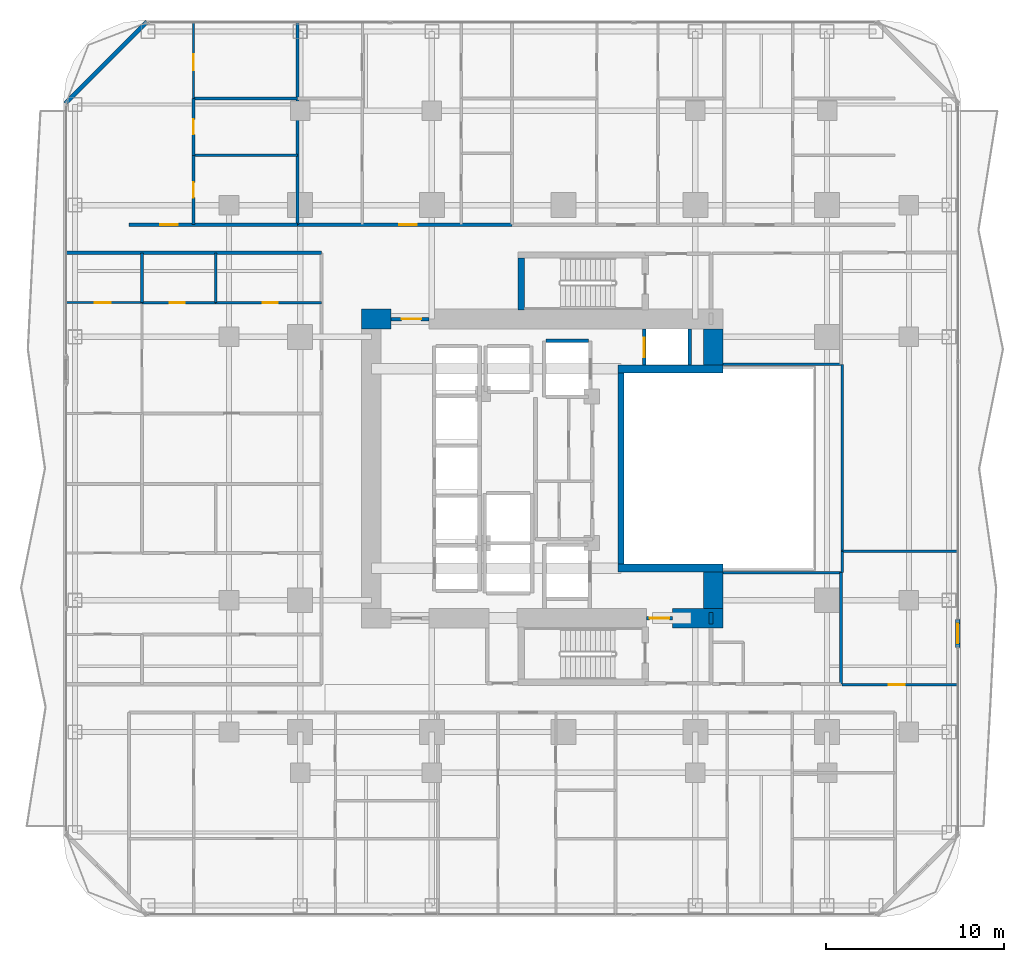
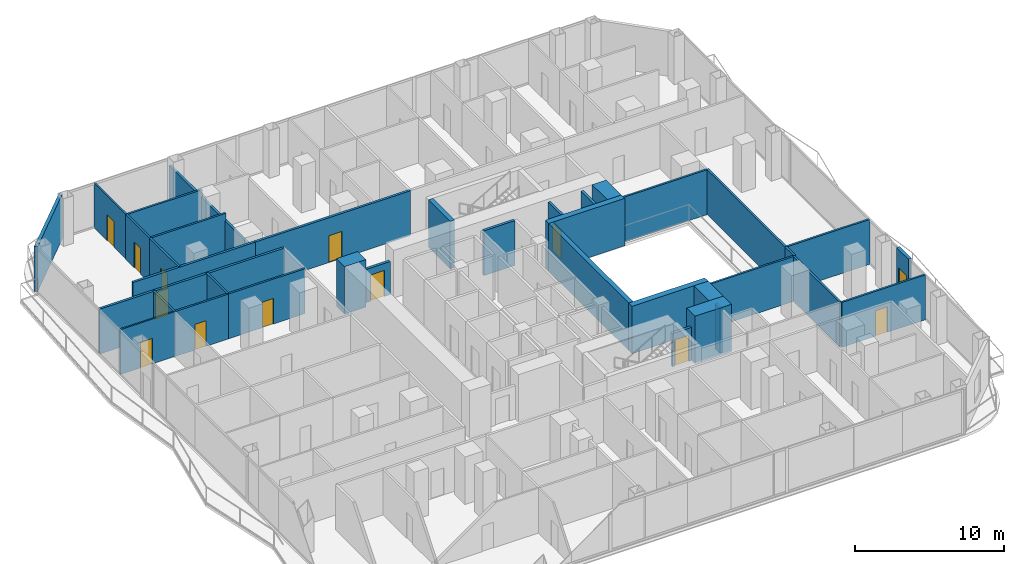
# One storey, part 22 of 29: 37 walls, 13 doors, 13 openings.
"""IFC4 building model written with IfcOpenShell, lengths in metres."""

from ifc_helpers import new_model, si_unit, direction, frame, frame_2d, origin, place, context, subcontext, project, spatial, rectangle, extrude, material, layer, layer_set, type_object, element, fill, save


model = new_model("IFC4")

# Units and contexts
model_context = context("Model", 3, precision=1e-05, world=origin(), true_north=direction((0.0, 1.0)))
body_context = subcontext(model_context, "Body", "Model", "MODEL_VIEW")
ifc_project = project(units=[si_unit("LENGTHUNIT", "METRE"), si_unit("AREAUNIT", "SQUARE_METRE"), si_unit("VOLUMEUNIT", "CUBIC_METRE"), si_unit("PLANEANGLEUNIT", "RADIAN"), si_unit("MASSUNIT", "GRAM", prefix="KILO")], contexts=[model_context])

# Site, building, storey
site_placement = place(None, origin())
site = spatial("IfcSite", under=ifc_project, at=site_placement, CompositionType="ELEMENT")
building_placement = place(site_placement, origin())
building = spatial("IfcBuilding", under=site, at=building_placement, Name="Khorvyn Point Tower", CompositionType="ELEMENT")
storey_placement = place(building_placement, frame((0.0, 0.0, 69.60009765625)))
storey = spatial("IfcBuildingStorey", under=building, at=storey_placement, Name="L18", CompositionType="ELEMENT", Elevation=69.60009765625)

# Wall, opening, door
ifc_material_1 = material(Name="Double acoustic gypsum on twin steel stud", Category="steel")
ifc_layer_1 = layer(ifc_material_1, 0.179931640625)
ifc_layer_set_1 = layer_set([ifc_layer_1], Name="Acoustic Double-Stud Apartment Demising Wall 180")
wall_type_1 = type_object("IfcWallType", Name="Acoustic Double-Stud Apartment Demising Wall 180", PredefinedType="PARTITIONING", material=ifc_layer_set_1)
wall_1_placement = place(storey_placement, frame((-24.419921875, 13.699951171875, 0.0), z_axis=(0.0, 0.0, 1.0), x_axis=(1.0, 0.0, 0.0)))
wall_1 = element("IfcWall", 1, at=wall_1_placement, inside=storey, type_object=wall_type_1, Name="Wall", PredefinedType="PARTITIONING", context=body_context, shape_type="SweptSolid", body=[
    extrude(rectangle(XDim=9.468994140625, YDim=0.179931640625, at=frame_2d((4.734375, 0.0))), origin(), (0.0, 0.0, 1.0), 3.679931640625),
])
opening_1_placement = place(wall_1_placement, frame((1.75439453125, 0.0, 0.0)))
opening_1 = element("IfcOpeningElement", 2, at=opening_1_placement, cuts=wall_1, Name="Opening ID-AP60", PredefinedType="OPENING", context=body_context, shape_type="SweptSolid", body=[
    extrude(rectangle(XDim=1.0, YDim=2.199951171875, at=frame_2d((0.5, 1.10009765625))), frame((0.0, 0.099853515625, 0.0), z_axis=(0.0, -1.0, 0.0), x_axis=(1.0, 0.0, 0.0)), (0.0, 0.0, 1.0), 0.199951171875),
])
ifc_material_2 = material(Name="Engineered hardwood fire-rated leaf", Category="wood")
door_type_1 = type_object("IfcDoorType", Name="Acoustic Solid-Core Timber Apartment Entrance Door 1000x2200", OperationType="NOTDEFINED", PredefinedType="DOOR", material=ifc_material_2)
door_1_placement = place(opening_1_placement, origin())
door_1 = element("IfcDoor", 3, at=door_1_placement, inside=storey, type_object=door_type_1, Name="Door", OperationType="SINGLE_SWING_RIGHT", OverallHeight=2.199951171875, OverallWidth=1.0, PredefinedType="DOOR", context=body_context, shape_type="SweptSolid", body=[
    extrude(rectangle(XDim=1.0, YDim=2.199951171875, at=frame_2d((0.5, 1.10009765625))), frame((0.0, 0.02490234375, 0.0), z_axis=(0.0, -1.0, 0.0), x_axis=(1.0, 0.0, 0.0)), (0.0, 0.0, 1.0), 0.050048828125),
])
fill(opening_1, door_1)

wall_2_placement = place(storey_placement, frame((-14.950927734375, 13.699951171875, 0.0), z_axis=(0.0, 0.0, 1.0), x_axis=(1.0, 0.0, 0.0)))
wall_2 = element("IfcWall", 4, at=wall_2_placement, inside=storey, type_object=wall_type_1, Name="Wall", PredefinedType="PARTITIONING", context=body_context, shape_type="SweptSolid", body=[
    extrude(rectangle(XDim=12.051025390625, YDim=0.179931640625, at=frame_2d((6.025390625, 0.0))), origin(), (0.0, 0.0, 1.0), 3.679931640625),
])
opening_2_placement = place(wall_2_placement, frame((5.704345703125, 0.0, 0.0)))
opening_2 = element("IfcOpeningElement", 5, at=opening_2_placement, cuts=wall_2, Name="Opening ID-AP60", PredefinedType="OPENING", context=body_context, shape_type="SweptSolid", body=[
    extrude(rectangle(XDim=1.0, YDim=2.199951171875, at=frame_2d((0.5, 1.10009765625))), frame((0.0, 0.099853515625, 0.0), z_axis=(0.0, -1.0, 0.0), x_axis=(1.0, 0.0, 0.0)), (0.0, 0.0, 1.0), 0.199951171875),
])
door_2_placement = place(opening_2_placement, origin())
door_2 = element("IfcDoor", 6, at=door_2_placement, inside=storey, type_object=door_type_1, Name="Door", OperationType="SINGLE_SWING_RIGHT", OverallHeight=2.199951171875, OverallWidth=1.0, PredefinedType="DOOR", context=body_context, shape_type="SweptSolid", body=[
    extrude(rectangle(XDim=1.0, YDim=2.199951171875, at=frame_2d((0.5, 1.10009765625))), frame((0.0, 0.02490234375, 0.0), z_axis=(0.0, -1.0, 0.0), x_axis=(1.0, 0.0, 0.0)), (0.0, 0.0, 1.0), 0.050048828125),
])
fill(opening_2, door_2)

# Walls
wall_3_placement = place(storey_placement, frame((-14.950927734375, 13.699951171875, 0.0), z_axis=(0.0, 0.0, 1.0), x_axis=(0.0, 1.0, 0.0)))
element("IfcWall", 7, at=wall_3_placement, inside=storey, type_object=wall_type_1, Name="Wall", PredefinedType="PARTITIONING", context=body_context, shape_type="SweptSolid", body=[
    extrude(rectangle(XDim=11.330078125, YDim=0.179931640625, at=frame_2d((5.6650390625, 0.0))), origin(), (0.0, 0.0, 1.0), 3.081787109375),
])
wall_4_placement = place(storey_placement, frame((-27.929931640625, 12.1201171875, 0.0), z_axis=(0.0, 0.0, 1.0), x_axis=(1.0, 0.0, 0.0)))
element("IfcWall", 8, at=wall_4_placement, inside=storey, type_object=wall_type_1, Name="Wall", PredefinedType="PARTITIONING", context=body_context, shape_type="SweptSolid", body=[
    extrude(rectangle(XDim=14.329833984375, YDim=0.179931640625, at=frame_2d((7.1650390625, 0.0))), origin(), (0.0, 0.0, 1.0), 3.679931640625),
])

# Wall, opening, door
ifc_material_3 = material(Name="Pale anodised aluminium rainscreen on steel stud", Category="steel")
ifc_layer_2 = layer(ifc_material_3, 0.239990234375)
ifc_layer_set_2 = layer_set([ifc_layer_2], Name="Anodised Aluminium Insulated Corner Spandrel Wall 240")
wall_type_2 = type_object("IfcWallType", Name="Anodised Aluminium Insulated Corner Spandrel Wall 240", PredefinedType="SOLIDWALL", material=ifc_layer_set_2)
wall_5_placement = place(storey_placement, frame((22.14990234375, -8.47802734375, 0.0), z_axis=(0.0, 0.0, 1.0), x_axis=(0.0, -1.0, 0.0)))
wall_5 = element("IfcWall", 9, at=wall_5_placement, inside=storey, type_object=wall_type_2, Name="L18 East Outdoor Threshold Wall", PredefinedType="SOLIDWALL", context=body_context, shape_type="SweptSolid", body=[
    extrude(rectangle(XDim=1.580078125, YDim=0.239990234375, at=frame_2d((0.7900390625, 0.0))), origin(), (0.0, 0.0, 1.0), 3.679931640625),
])
opening_3_placement = place(wall_5_placement, frame((0.239990234375, 0.0, 0.0)))
opening_3 = element("IfcOpeningElement", 10, at=opening_3_placement, cuts=wall_5, Name="Opening BD-1122", PredefinedType="OPENING", context=body_context, shape_type="SweptSolid", body=[
    extrude(rectangle(XDim=1.10009765625, YDim=2.199951171875, at=frame_2d((0.550048828125, 1.10009765625))), frame((0.0, 0.1298828125, 0.0), z_axis=(0.0, -1.0, 0.0), x_axis=(1.0, 0.0, 0.0)), (0.0, 0.0, 1.0), 0.260009765625),
])
ifc_material_4 = material(Name="Anodised aluminium 6063-T6 and laminated Low-E glass", Category="aluminium")
door_type_2 = type_object("IfcDoorType", Name="Glazed Balcony and Terrace Threshold Door 1100x2200", OperationType="NOTDEFINED", PredefinedType="DOOR", material=ifc_material_4)
door_3_placement = place(opening_3_placement, origin())
door_3 = element("IfcDoor", 11, at=door_3_placement, inside=storey, type_object=door_type_2, Name="L18 East Glazed Balcony Outdoor Door", OperationType="SINGLE_SWING_LEFT", OverallHeight=2.199951171875, OverallWidth=1.10009765625, PredefinedType="DOOR", context=body_context, shape_type="SweptSolid", body=[
    extrude(rectangle(XDim=1.10009765625, YDim=2.199951171875, at=frame_2d((0.550048828125, 1.10009765625))), frame((0.0, 0.02490234375, 0.0), z_axis=(0.0, -1.0, 0.0), x_axis=(1.0, 0.0, 0.0)), (0.0, 0.0, 1.0), 0.050048828125),
])
fill(opening_3, door_3)

# Walls
wall_6_placement = place(storey_placement, frame((-27.992431640625, 20.507568359375, 0.0), z_axis=(0.0, 0.0, 1.0), x_axis=(0.707106781187, 0.707106781187, 0.0)))
element("IfcWall", 12, at=wall_6_placement, inside=storey, type_object=wall_type_2, Name="L18 Rounded Corner Wall NW", PredefinedType="SOLIDWALL", context=body_context, shape_type="SweptSolid", body=[
    extrude(rectangle(XDim=6.48388671875, YDim=0.239990234375, at=frame_2d((3.241943359375, 0.0))), origin(), (0.0, 0.0, 1.0), 3.679931640625),
])
ifc_material_5 = material(Name="Concrete C40/50", Category="concrete")
ifc_layer_3 = layer(ifc_material_5, 0.449951171875)
ifc_layer_set_3 = layer_set([ifc_layer_3], Name="Concrete C40/50 Core Shear Wall 450")
wall_type_3 = type_object("IfcWallType", Name="Concrete C40/50 Core Shear Wall 450", PredefinedType="SHEAR", material=ifc_layer_set_3)
for number, where, z_axis, x_axis, name in (
    (13, (3.044921875, -5.60009765625, 0.0), (0.0, 0.0, 1.0), (1.0, 0.0, 0.0), "Wall"),
    (14, (3.044921875, 5.60009765625, 0.0), (0.0, 0.0, 1.0), (1.0, 0.0, 0.0), "Wall"),
):
    element("IfcWall", number, at=place(storey_placement, frame(where, z_axis=z_axis, x_axis=x_axis)), inside=storey, type_object=wall_type_3, Name=name, PredefinedType="SHEAR", context=body_context, shape_type="SweptSolid", body=[
        extrude(rectangle(XDim=5.905029296875, YDim=0.449951171875, at=frame_2d((2.95263671875, 0.0))), origin(), (0.0, 0.0, 1.0), 3.89990234375),
    ])

# Wall, opening, door
ifc_layer_4 = layer(ifc_material_5, 0.199951171875)
ifc_layer_set_4 = layer_set([ifc_layer_4], Name="Concrete C40/50 Fire-Lobby Compartment Wall 200")
wall_type_4 = type_object("IfcWallType", Name="Concrete C40/50 Fire-Lobby Compartment Wall 200", PredefinedType="SOLIDWALL", material=ifc_layer_set_4)
wall_7_placement = place(storey_placement, frame((4.64990234375, -8.39990234375, 0.0), z_axis=(0.0, 0.0, 1.0), x_axis=(1.0, 0.0, 0.0)))
wall_7 = element("IfcWall", 15, at=wall_7_placement, inside=storey, type_object=wall_type_4, Name="Wall", PredefinedType="SOLIDWALL", context=body_context, shape_type="SweptSolid", body=[
    extrude(rectangle(XDim=1.47021484375, YDim=0.199951171875, at=frame_2d((0.735107421875, 0.0))), origin(), (0.0, 0.0, 1.0), 2.719970703125),
])
opening_4_placement = place(wall_7_placement, frame((0.18505859375, 0.0, 0.0)))
opening_4 = element("IfcOpeningElement", 16, at=opening_4_placement, cuts=wall_7, Name="Opening ID-FL90", PredefinedType="OPENING", context=body_context, shape_type="SweptSolid", body=[
    extrude(rectangle(XDim=1.10009765625, YDim=2.14990234375, at=frame_2d((0.550048828125, 1.074951171875))), frame((0.0, 0.10986328125, 0.0), z_axis=(0.0, -1.0, 0.0), x_axis=(1.0, 0.0, 0.0)), (0.0, 0.0, 1.0), 0.219970703125),
])
ifc_material_6 = material(Name="Galvanised powder-coated steel", Category="steel")
door_type_3 = type_object("IfcDoorType", Name="Fire-Rated Steel Lobby and Stair Door 1100x2150", OperationType="NOTDEFINED", PredefinedType="DOOR", material=ifc_material_6)
door_4_placement = place(opening_4_placement, origin())
door_4 = element("IfcDoor", 17, at=door_4_placement, inside=storey, type_object=door_type_3, Name="Door", OperationType="SINGLE_SWING_RIGHT", OverallHeight=2.14990234375, OverallWidth=1.10009765625, PredefinedType="DOOR", context=body_context, shape_type="SweptSolid", body=[
    extrude(rectangle(XDim=1.10009765625, YDim=2.14990234375, at=frame_2d((0.550048828125, 1.074951171875))), frame((0.0, 0.02490234375, 0.0), z_axis=(0.0, -1.0, 0.0), x_axis=(1.0, 0.0, 0.0)), (0.0, 0.0, 1.0), 0.050048828125),
])
fill(opening_4, door_4)

wall_8_placement = place(storey_placement, frame((-9.699951171875, 8.39990234375, 0.0), z_axis=(0.0, 0.0, 1.0), x_axis=(1.0, 0.0, 0.0)))
wall_8 = element("IfcWall", 18, at=wall_8_placement, inside=storey, type_object=wall_type_4, Name="Wall", PredefinedType="SOLIDWALL", context=body_context, shape_type="SweptSolid", body=[
    extrude(rectangle(XDim=2.14990234375, YDim=0.199951171875, at=frame_2d((1.074951171875, 0.0))), origin(), (0.0, 0.0, 1.0), 2.719970703125),
])
opening_5_placement = place(wall_8_placement, frame((0.597900390625, 0.0, 0.0)))
opening_5 = element("IfcOpeningElement", 19, at=opening_5_placement, cuts=wall_8, Name="Opening ID-FL90", PredefinedType="OPENING", context=body_context, shape_type="SweptSolid", body=[
    extrude(rectangle(XDim=1.10009765625, YDim=2.14990234375, at=frame_2d((0.550048828125, 1.074951171875))), frame((0.0, 0.10986328125, 0.0), z_axis=(0.0, -1.0, 0.0), x_axis=(1.0, 0.0, 0.0)), (0.0, 0.0, 1.0), 0.219970703125),
])
door_5_placement = place(opening_5_placement, origin())
door_5 = element("IfcDoor", 20, at=door_5_placement, inside=storey, type_object=door_type_3, Name="Door", OperationType="SINGLE_SWING_LEFT", OverallHeight=2.14990234375, OverallWidth=1.10009765625, PredefinedType="DOOR", context=body_context, shape_type="SweptSolid", body=[
    extrude(rectangle(XDim=1.10009765625, YDim=2.14990234375, at=frame_2d((0.550048828125, 1.074951171875))), frame((0.0, 0.02490234375, 0.0), z_axis=(0.0, -1.0, 0.0), x_axis=(1.0, 0.0, 0.0)), (0.0, 0.0, 1.0), 0.050048828125),
])
fill(opening_5, door_5)

# Walls
wall_9_placement = place(storey_placement, frame((8.280029296875, -8.72509765625, 0.0), z_axis=(0.0, 0.0, 1.0), x_axis=(0.0, 1.0, 0.0)))
element("IfcWall", 21, at=wall_9_placement, inside=storey, type_object=wall_type_4, Name="Wall", PredefinedType="SOLIDWALL", context=body_context, shape_type="SweptSolid", body=[
    extrude(rectangle(XDim=0.625, YDim=0.199951171875, at=frame_2d((0.3125, 0.0))), origin(), (0.0, 0.0, 1.0), 3.679931640625),
])
ifc_layer_5 = layer(ifc_material_5, 0.35009765625)
ifc_layer_set_5 = layer_set([ifc_layer_5], Name="Concrete C40/50 Stair Shaft Structural Wall 350")
wall_type_5 = type_object("IfcWallType", Name="Concrete C40/50 Stair Shaft Structural Wall 350", PredefinedType="SHEAR", material=ifc_layer_set_5)
wall_10_placement = place(storey_placement, frame((3.219970703125, -5.375, 0.0), z_axis=(0.0, 0.0, 1.0), x_axis=(0.0, 1.0, 0.0)))
element("IfcWall", 22, at=wall_10_placement, inside=storey, type_object=wall_type_5, Name="Wall", PredefinedType="SHEAR", context=body_context, shape_type="SweptSolid", body=[
    extrude(rectangle(XDim=10.75, YDim=0.35009765625, at=frame_2d((5.375, 0.0))), origin(), (0.0, 0.0, 1.0), 3.89990234375),
])
wall_11_placement = place(storey_placement, frame((-2.3798828125, 8.89990234375, 0.0), z_axis=(0.0, 0.0, 1.0), x_axis=(0.0, 1.0, 0.0)))
element("IfcWall", 23, at=wall_11_placement, inside=storey, type_object=wall_type_5, Name="L18 ST-02 West Shaft Wall", PredefinedType="SHEAR", context=body_context, shape_type="SweptSolid", body=[
    extrude(rectangle(XDim=2.925048828125, YDim=0.35009765625, at=frame_2d((1.46240234375, 0.0))), origin(), (0.0, 0.0, 1.0), 3.89990234375),
])
ifc_layer_6 = layer(ifc_material_5, 0.199951171875)
ifc_layer_set_6 = layer_set([ifc_layer_6], Name="Concrete C40/50 Structural Hoistway and Stair Shaft Wall 200")
wall_type_6 = type_object("IfcWallType", Name="Concrete C40/50 Structural Hoistway and Stair Shaft Wall 200", PredefinedType="SHEAR", material=ifc_layer_set_6)
wall_12_placement = place(storey_placement, frame((-1.0, 7.175048828125, 0.0), z_axis=(0.0, 0.0, 1.0), x_axis=(1.0, 0.0, 0.0)))
element("IfcWall", 24, at=wall_12_placement, inside=storey, type_object=wall_type_6, Name="Wall", PredefinedType="SHEAR", context=body_context, shape_type="SweptSolid", body=[
    extrude(rectangle(XDim=2.39990234375, YDim=0.199951171875, at=frame_2d((1.199951171875, 0.0))), origin(), (0.0, 0.0, 1.0), 3.679931640625),
])

# Wall, opening, door
wall_13_placement = place(storey_placement, frame((4.52490234375, 5.824951171875, 0.0), z_axis=(0.0, 0.0, 1.0), x_axis=(0.0, 1.0, 0.0)))
wall_13 = element("IfcWall", 25, at=wall_13_placement, inside=storey, type_object=wall_type_6, Name="Wall", PredefinedType="SHEAR", context=body_context, shape_type="SweptSolid", body=[
    extrude(rectangle(XDim=2.025146484375, YDim=0.199951171875, at=frame_2d((1.0126953125, 0.0))), origin(), (0.0, 0.0, 1.0), 3.679931640625),
])
opening_6_placement = place(wall_13_placement, frame((0.425048828125, 0.0, 0.0)))
opening_6 = element("IfcOpeningElement", 26, at=opening_6_placement, cuts=wall_13, Name="Opening LD-1122", PredefinedType="OPENING", context=body_context, shape_type="SweptSolid", body=[
    extrude(rectangle(XDim=1.10009765625, YDim=2.199951171875, at=frame_2d((0.550048828125, 1.10009765625))), frame((0.0, 0.10986328125, 0.0), z_axis=(0.0, -1.0, 0.0), x_axis=(1.0, 0.0, 0.0)), (0.0, 0.0, 1.0), 0.219970703125),
])
ifc_material_7 = material(Name="Stainless steel 1.4301", Category="steel")
door_type_4 = type_object("IfcDoorType", Name="Stainless Steel Automatic Sliding Lift Landing Door 1100x2200", OperationType="SLIDING_TO_LEFT", PredefinedType="DOOR", material=ifc_material_7)
door_6_placement = place(opening_6_placement, origin())
door_6 = element("IfcDoor", 27, at=door_6_placement, inside=storey, type_object=door_type_4, Name="L18 FF-02 Sliding Lift Landing Door", OperationType="SLIDING_TO_LEFT", OverallHeight=2.199951171875, OverallWidth=1.10009765625, PredefinedType="DOOR", context=body_context, shape_type="SweptSolid", body=[
    extrude(rectangle(XDim=1.10009765625, YDim=2.199951171875, at=frame_2d((0.550048828125, 1.10009765625))), frame((0.0, 0.02490234375, 0.0), z_axis=(0.0, -1.0, 0.0), x_axis=(1.0, 0.0, 0.0)), (0.0, 0.0, 1.0), 0.050048828125),
])
fill(opening_6, door_6)

# Walls
wall_14_placement = place(storey_placement, frame((7.074951171875, 5.824951171875, 0.0), z_axis=(0.0, 0.0, 1.0), x_axis=(0.0, 1.0, 0.0)))
element("IfcWall", 28, at=wall_14_placement, inside=storey, type_object=wall_type_6, Name="Wall", PredefinedType="SHEAR", context=body_context, shape_type="SweptSolid", body=[
    extrude(rectangle(XDim=2.025146484375, YDim=0.199951171875, at=frame_2d((1.0126953125, 0.0))), origin(), (0.0, 0.0, 1.0), 3.679931640625),
])
ifc_material_8 = material(Name="Concrete C50/60", Category="concrete")
ifc_layer_7 = layer(ifc_material_8, 1.10009765625)
ifc_layer_set_7 = layer_set([ifc_layer_7], Name="Concrete C50/60 Core Shear Wall 1100")
wall_type_7 = type_object("IfcWallType", Name="Concrete C50/60 Core Shear Wall 1100", PredefinedType="SHEAR", material=ifc_layer_set_7)
wall_15_placement = place(storey_placement, frame((6.1201171875, -8.39990234375, 0.0), z_axis=(0.0, 0.0, 1.0), x_axis=(1.0, 0.0, 0.0)))
element("IfcWall", 29, at=wall_15_placement, inside=storey, type_object=wall_type_7, Name="Wall", PredefinedType="SHEAR", context=body_context, shape_type="SweptSolid", body=[
    extrude(rectangle(XDim=2.829833984375, YDim=1.10009765625, at=frame_2d((1.4150390625, 0.0))), origin(), (0.0, 0.0, 1.0), 3.89990234375),
])
wall_16_placement = place(storey_placement, frame((-11.35009765625, 8.39990234375, 0.0), z_axis=(0.0, 0.0, 1.0), x_axis=(1.0, 0.0, 0.0)))
element("IfcWall", 30, at=wall_16_placement, inside=storey, type_object=wall_type_7, Name="Wall", PredefinedType="SHEAR", context=body_context, shape_type="SweptSolid", body=[
    extrude(rectangle(XDim=1.650146484375, YDim=1.10009765625, at=frame_2d((0.8251953125, 0.0))), origin(), (0.0, 0.0, 1.0), 3.89990234375),
])
for number, where, z_axis, x_axis, name in (
    (31, (8.39990234375, -7.85009765625, 0.0), (0.0, 0.0, 1.0), (0.0, 1.0, 0.0), "Wall"),
    (32, (8.39990234375, 5.824951171875, 0.0), (0.0, 0.0, 1.0), (0.0, 1.0, 0.0), "Wall"),
):
    element("IfcWall", number, at=place(storey_placement, frame(where, z_axis=z_axis, x_axis=x_axis)), inside=storey, type_object=wall_type_7, Name=name, PredefinedType="SHEAR", context=body_context, shape_type="SweptSolid", body=[
        extrude(rectangle(XDim=2.025146484375, YDim=1.10009765625, at=frame_2d((1.0126953125, 0.0))), origin(), (0.0, 0.0, 1.0), 3.89990234375),
    ])

# Wall, opening, door
ifc_material_9 = material(Name="Gypsum plasterboard on steel stud", Category="steel")
ifc_layer_8 = layer(ifc_material_9, 0.1201171875)
ifc_layer_set_8 = layer_set([ifc_layer_8], Name="Gypsum Acoustic Stud Room Partition Wall 120")
wall_type_8 = type_object("IfcWallType", Name="Gypsum Acoustic Stud Room Partition Wall 120", PredefinedType="PARTITIONING", material=ifc_layer_set_8)
wall_17_placement = place(storey_placement, frame((-20.797119140625, 20.7900390625, 0.0), z_axis=(0.0, 0.0, 1.0), x_axis=(0.0, 1.0, 0.0)))
wall_17 = element("IfcWall", 33, at=wall_17_placement, inside=storey, type_object=wall_type_8, Name="Wall", PredefinedType="PARTITIONING", context=body_context, shape_type="SweptSolid", body=[
    extrude(rectangle(XDim=4.239990234375, YDim=0.1201171875, at=frame_2d((2.1201171875, 0.0))), origin(), (0.0, 0.0, 1.0), 3.679931640625),
])
opening_7_placement = place(wall_17_placement, frame((1.581298828125, 0.0, 0.0)))
opening_7 = element("IfcOpeningElement", 34, at=opening_7_placement, cuts=wall_17, Name="Opening ID-RM90", PredefinedType="OPENING", context=body_context, shape_type="SweptSolid", body=[
    extrude(rectangle(XDim=0.89990234375, YDim=2.10009765625, at=frame_2d((0.449951171875, 1.050048828125))), frame((0.0, 0.070068359375, 0.0), z_axis=(0.0, -1.0, 0.0), x_axis=(1.0, 0.0, 0.0)), (0.0, 0.0, 1.0), 0.14013671875),
])
ifc_material_10 = material(Name="Engineered oak veneer timber", Category="wood")
door_type_5 = type_object("IfcDoorType", Name="Flush Engineered Timber Room Door 900x2100", OperationType="NOTDEFINED", PredefinedType="DOOR", material=ifc_material_10)
door_7_placement = place(opening_7_placement, origin())
door_7 = element("IfcDoor", 35, at=door_7_placement, inside=storey, type_object=door_type_5, Name="Door", OperationType="SINGLE_SWING_LEFT", OverallHeight=2.10009765625, OverallWidth=0.89990234375, PredefinedType="DOOR", context=body_context, shape_type="SweptSolid", body=[
    extrude(rectangle(XDim=0.89990234375, YDim=2.10009765625, at=frame_2d((0.449951171875, 1.050048828125))), frame((0.0, 0.02490234375, 0.0), z_axis=(0.0, -1.0, 0.0), x_axis=(1.0, 0.0, 0.0)), (0.0, 0.0, 1.0), 0.050048828125),
])
fill(opening_7, door_7)

wall_18_placement = place(storey_placement, frame((-27.929931640625, 9.320068359375, 0.0), z_axis=(0.0, 0.0, 1.0), x_axis=(1.0, 0.0, 0.0)))
wall_18 = element("IfcWall", 36, at=wall_18_placement, inside=storey, type_object=wall_type_8, Name="Wall", PredefinedType="PARTITIONING", context=body_context, shape_type="SweptSolid", body=[
    extrude(rectangle(XDim=4.239990234375, YDim=0.1201171875, at=frame_2d((2.1201171875, 0.0))), origin(), (0.0, 0.0, 1.0), 3.679931640625),
])
opening_8_placement = place(wall_18_placement, frame((1.581298828125, 0.0, 0.0)))
opening_8 = element("IfcOpeningElement", 37, at=opening_8_placement, cuts=wall_18, Name="Opening ID-RM90", PredefinedType="OPENING", context=body_context, shape_type="SweptSolid", body=[
    extrude(rectangle(XDim=0.89990234375, YDim=2.10009765625, at=frame_2d((0.449951171875, 1.050048828125))), frame((0.0, 0.070068359375, 0.0), z_axis=(0.0, -1.0, 0.0), x_axis=(1.0, 0.0, 0.0)), (0.0, 0.0, 1.0), 0.14013671875),
])
door_8_placement = place(opening_8_placement, origin())
door_8 = element("IfcDoor", 38, at=door_8_placement, inside=storey, type_object=door_type_5, Name="Door", OperationType="SINGLE_SWING_RIGHT", OverallHeight=2.10009765625, OverallWidth=0.89990234375, PredefinedType="DOOR", context=body_context, shape_type="SweptSolid", body=[
    extrude(rectangle(XDim=0.89990234375, YDim=2.10009765625, at=frame_2d((0.449951171875, 1.050048828125))), frame((0.0, 0.02490234375, 0.0), z_axis=(0.0, -1.0, 0.0), x_axis=(1.0, 0.0, 0.0)), (0.0, 0.0, 1.0), 0.050048828125),
])
fill(opening_8, door_8)

ifc_material_11 = material(Name="Moisture-resistant gypsum and cement board", Category="gypsum")
ifc_layer_9 = layer(ifc_material_11, 0.14990234375)
ifc_layer_set_9 = layer_set([ifc_layer_9], Name="Moisture-Resistant Wet-Room Partition Wall 150")
wall_type_9 = type_object("IfcWallType", Name="Moisture-Resistant Wet-Room Partition Wall 150", PredefinedType="PARTITIONING", material=ifc_layer_set_9)
wall_19_placement = place(storey_placement, frame((-20.797119140625, 13.699951171875, 0.0), z_axis=(0.0, 0.0, 1.0), x_axis=(0.0, 1.0, 0.0)))
wall_19 = element("IfcWall", 39, at=wall_19_placement, inside=storey, type_object=wall_type_9, Name="Wall", PredefinedType="PARTITIONING", context=body_context, shape_type="SweptSolid", body=[
    extrude(rectangle(XDim=3.899169921875, YDim=0.14990234375, at=frame_2d((1.94970703125, 0.0))), origin(), (0.0, 0.0, 1.0), 3.679931640625),
])
opening_9_placement = place(wall_19_placement, frame((1.5244140625, 0.0, 0.0)))
opening_9 = element("IfcOpeningElement", 40, at=opening_9_placement, cuts=wall_19, Name="Opening ID-WC85", PredefinedType="OPENING", context=body_context, shape_type="SweptSolid", body=[
    extrude(rectangle(XDim=0.85009765625, YDim=2.10009765625, at=frame_2d((0.425048828125, 1.050048828125))), frame((0.0, 0.0849609375, 0.0), z_axis=(0.0, -1.0, 0.0), x_axis=(1.0, 0.0, 0.0)), (0.0, 0.0, 1.0), 0.169921875),
])
ifc_material_12 = material(Name="High-pressure laminate on moisture-resistant core", Category="wood")
door_type_6 = type_object("IfcDoorType", Name="Moisture-Resistant Accessible Washroom Door 850x2100", OperationType="NOTDEFINED", PredefinedType="DOOR", material=ifc_material_12)
door_9_placement = place(opening_9_placement, origin())
door_9 = element("IfcDoor", 41, at=door_9_placement, inside=storey, type_object=door_type_6, Name="Door", OperationType="SINGLE_SWING_LEFT", OverallHeight=2.10009765625, OverallWidth=0.85009765625, PredefinedType="DOOR", context=body_context, shape_type="SweptSolid", body=[
    extrude(rectangle(XDim=0.85009765625, YDim=2.10009765625, at=frame_2d((0.425048828125, 1.050048828125))), frame((0.0, 0.02490234375, 0.0), z_axis=(0.0, -1.0, 0.0), x_axis=(1.0, 0.0, 0.0)), (0.0, 0.0, 1.0), 0.050048828125),
])
fill(opening_9, door_9)

wall_20_placement = place(storey_placement, frame((-20.797119140625, 17.59912109375, 0.0), z_axis=(0.0, 0.0, 1.0), x_axis=(0.0, 1.0, 0.0)))
wall_20 = element("IfcWall", 42, at=wall_20_placement, inside=storey, type_object=wall_type_9, Name="Wall", PredefinedType="PARTITIONING", context=body_context, shape_type="SweptSolid", body=[
    extrude(rectangle(XDim=3.19091796875, YDim=0.14990234375, at=frame_2d((1.595458984375, 0.0))), origin(), (0.0, 0.0, 1.0), 3.679931640625),
])
opening_10_placement = place(wall_20_placement, frame((1.17041015625, 0.0, 0.0)))
opening_10 = element("IfcOpeningElement", 43, at=opening_10_placement, cuts=wall_20, Name="Opening ID-WC85", PredefinedType="OPENING", context=body_context, shape_type="SweptSolid", body=[
    extrude(rectangle(XDim=0.85009765625, YDim=2.10009765625, at=frame_2d((0.425048828125, 1.050048828125))), frame((0.0, 0.0849609375, 0.0), z_axis=(0.0, -1.0, 0.0), x_axis=(1.0, 0.0, 0.0)), (0.0, 0.0, 1.0), 0.169921875),
])
door_10_placement = place(opening_10_placement, origin())
door_10 = element("IfcDoor", 44, at=door_10_placement, inside=storey, type_object=door_type_6, Name="Door", OperationType="SINGLE_SWING_RIGHT", OverallHeight=2.10009765625, OverallWidth=0.85009765625, PredefinedType="DOOR", context=body_context, shape_type="SweptSolid", body=[
    extrude(rectangle(XDim=0.85009765625, YDim=2.10009765625, at=frame_2d((0.425048828125, 1.050048828125))), frame((0.0, 0.02490234375, 0.0), z_axis=(0.0, -1.0, 0.0), x_axis=(1.0, 0.0, 0.0)), (0.0, 0.0, 1.0), 0.050048828125),
])
fill(opening_10, door_10)

wall_21_placement = place(storey_placement, frame((-23.68994140625, 9.320068359375, 0.0), z_axis=(0.0, 0.0, 1.0), x_axis=(1.0, 0.0, 0.0)))
wall_21 = element("IfcWall", 45, at=wall_21_placement, inside=storey, type_object=wall_type_9, Name="Wall", PredefinedType="PARTITIONING", context=body_context, shape_type="SweptSolid", body=[
    extrude(rectangle(XDim=4.136962890625, YDim=0.14990234375, at=frame_2d((2.068359375, 0.0))), origin(), (0.0, 0.0, 1.0), 3.679931640625),
])
opening_11_placement = place(wall_21_placement, frame((1.55615234375, 0.0, 0.0)))
opening_11 = element("IfcOpeningElement", 46, at=opening_11_placement, cuts=wall_21, Name="Opening ID-WC85", PredefinedType="OPENING", context=body_context, shape_type="SweptSolid", body=[
    extrude(rectangle(XDim=0.85009765625, YDim=2.10009765625, at=frame_2d((0.425048828125, 1.050048828125))), frame((0.0, 0.0849609375, 0.0), z_axis=(0.0, -1.0, 0.0), x_axis=(1.0, 0.0, 0.0)), (0.0, 0.0, 1.0), 0.169921875),
])
door_11_placement = place(opening_11_placement, origin())
door_11 = element("IfcDoor", 47, at=door_11_placement, inside=storey, type_object=door_type_6, Name="Door", OperationType="SINGLE_SWING_RIGHT", OverallHeight=2.10009765625, OverallWidth=0.85009765625, PredefinedType="DOOR", context=body_context, shape_type="SweptSolid", body=[
    extrude(rectangle(XDim=0.85009765625, YDim=2.10009765625, at=frame_2d((0.425048828125, 1.050048828125))), frame((0.0, 0.02490234375, 0.0), z_axis=(0.0, -1.0, 0.0), x_axis=(1.0, 0.0, 0.0)), (0.0, 0.0, 1.0), 0.050048828125),
])
fill(opening_11, door_11)

wall_22_placement = place(storey_placement, frame((-19.552978515625, 9.320068359375, 0.0), z_axis=(0.0, 0.0, 1.0), x_axis=(1.0, 0.0, 0.0)))
wall_22 = element("IfcWall", 48, at=wall_22_placement, inside=storey, type_object=wall_type_9, Name="Wall", PredefinedType="PARTITIONING", context=body_context, shape_type="SweptSolid", body=[
    extrude(rectangle(XDim=5.952880859375, YDim=0.14990234375, at=frame_2d((2.9765625, 0.0))), origin(), (0.0, 0.0, 1.0), 3.679931640625),
])
opening_12_placement = place(wall_22_placement, frame((2.64013671875, 0.0, 0.0)))
opening_12 = element("IfcOpeningElement", 49, at=opening_12_placement, cuts=wall_22, Name="Opening ID-WC85", PredefinedType="OPENING", context=body_context, shape_type="SweptSolid", body=[
    extrude(rectangle(XDim=0.85009765625, YDim=2.10009765625, at=frame_2d((0.425048828125, 1.050048828125))), frame((0.0, 0.0849609375, 0.0), z_axis=(0.0, -1.0, 0.0), x_axis=(1.0, 0.0, 0.0)), (0.0, 0.0, 1.0), 0.169921875),
])
door_12_placement = place(opening_12_placement, origin())
door_12 = element("IfcDoor", 50, at=door_12_placement, inside=storey, type_object=door_type_6, Name="Door", OperationType="SINGLE_SWING_LEFT", OverallHeight=2.10009765625, OverallWidth=0.85009765625, PredefinedType="DOOR", context=body_context, shape_type="SweptSolid", body=[
    extrude(rectangle(XDim=0.85009765625, YDim=2.10009765625, at=frame_2d((0.425048828125, 1.050048828125))), frame((0.0, 0.02490234375, 0.0), z_axis=(0.0, -1.0, 0.0), x_axis=(1.0, 0.0, 0.0)), (0.0, 0.0, 1.0), 0.050048828125),
])
fill(opening_12, door_12)

wall_23_placement = place(storey_placement, frame((15.64990234375, -12.139892578125, 0.0), z_axis=(0.0, 0.0, 1.0), x_axis=(1.0, 0.0, 0.0)))
wall_23 = element("IfcWall", 51, at=wall_23_placement, inside=storey, type_object=wall_type_9, Name="Wall", PredefinedType="PARTITIONING", context=body_context, shape_type="SweptSolid", body=[
    extrude(rectangle(XDim=6.47021484375, YDim=0.14990234375, at=frame_2d((3.235107421875, 0.0))), origin(), (0.0, 0.0, 1.0), 3.679931640625),
])
opening_13_placement = place(wall_23_placement, frame((2.610107421875, 0.0, 0.0)))
opening_13 = element("IfcOpeningElement", 52, at=opening_13_placement, cuts=wall_23, Name="Opening ID-RM90", PredefinedType="OPENING", context=body_context, shape_type="SweptSolid", body=[
    extrude(rectangle(XDim=0.89990234375, YDim=2.10009765625, at=frame_2d((0.449951171875, 1.050048828125))), frame((0.0, 0.0849609375, 0.0), z_axis=(0.0, -1.0, 0.0), x_axis=(1.0, 0.0, 0.0)), (0.0, 0.0, 1.0), 0.169921875),
])
door_13_placement = place(opening_13_placement, origin())
door_13 = element("IfcDoor", 53, at=door_13_placement, inside=storey, type_object=door_type_5, Name="Door", OperationType="SINGLE_SWING_LEFT", OverallHeight=2.10009765625, OverallWidth=0.89990234375, PredefinedType="DOOR", context=body_context, shape_type="SweptSolid", body=[
    extrude(rectangle(XDim=0.89990234375, YDim=2.10009765625, at=frame_2d((0.449951171875, 1.050048828125))), frame((0.0, 0.02490234375, 0.0), z_axis=(0.0, -1.0, 0.0), x_axis=(1.0, 0.0, 0.0)), (0.0, 0.0, 1.0), 0.050048828125),
])
fill(opening_13, door_13)

# Walls
wall_24_placement = place(storey_placement, frame((15.580078125, -12.10009765625, 0.0), z_axis=(0.0, 0.0, 1.0), x_axis=(0.0, 1.0, 0.0)))
element("IfcWall", 54, at=wall_24_placement, inside=storey, type_object=wall_type_9, Name="Wall", PredefinedType="PARTITIONING", context=body_context, shape_type="SweptSolid", body=[
    extrude(rectangle(XDim=6.25, YDim=0.14990234375, at=frame_2d((3.125, 0.0))), origin(), (0.0, 0.0, 1.0), 3.679931640625),
])
for number, where, z_axis, x_axis, name in (
    (55, (8.9599609375, -5.85009765625, 0.0), (0.0, 0.0, 1.0), (1.0, 0.0, 0.0), "Wall"),
    (56, (8.9599609375, 5.85009765625, 0.0), (0.0, 0.0, 1.0), (1.0, 0.0, 0.0), "Wall"),
):
    element("IfcWall", number, at=place(storey_placement, frame(where, z_axis=z_axis, x_axis=x_axis)), inside=storey, type_object=wall_type_9, Name=name, PredefinedType="PARTITIONING", context=body_context, shape_type="SweptSolid", body=[
        extrude(rectangle(XDim=6.6201171875, YDim=0.14990234375, at=frame_2d((3.31005859375, 0.0))), origin(), (0.0, 0.0, 1.0), 3.679931640625),
    ])
for number, where, z_axis, x_axis, name in (
    (57, (-20.797119140625, 17.59912109375, 0.0), (0.0, 0.0, 1.0), (1.0, 0.0, 0.0), "Wall"),
    (58, (-20.797119140625, 20.7900390625, 0.0), (0.0, 0.0, 1.0), (1.0, 0.0, 0.0), "Wall"),
):
    element("IfcWall", number, at=place(storey_placement, frame(where, z_axis=z_axis, x_axis=x_axis)), inside=storey, type_object=wall_type_9, Name=name, PredefinedType="PARTITIONING", context=body_context, shape_type="SweptSolid", body=[
        extrude(rectangle(XDim=5.84619140625, YDim=0.14990234375, at=frame_2d((2.923095703125, 0.0))), origin(), (0.0, 0.0, 1.0), 3.679931640625),
    ])
for number, where, z_axis, x_axis, name in (
    (59, (-19.552978515625, 9.320068359375, 0.0), (0.0, 0.0, 1.0), (0.0, 1.0, 0.0), "Wall"),
    (60, (-23.68994140625, 9.320068359375, 0.0), (0.0, 0.0, 1.0), (0.0, 1.0, 0.0), "Wall"),
):
    element("IfcWall", number, at=place(storey_placement, frame(where, z_axis=z_axis, x_axis=x_axis)), inside=storey, type_object=wall_type_9, Name=name, PredefinedType="PARTITIONING", context=body_context, shape_type="SweptSolid", body=[
        extrude(rectangle(XDim=2.800048828125, YDim=0.14990234375, at=frame_2d((1.39990234375, 0.0))), origin(), (0.0, 0.0, 1.0), 3.679931640625),
    ])
wall_25_placement = place(storey_placement, frame((15.64990234375, -5.85009765625, 0.0), z_axis=(0.0, 0.0, 1.0), x_axis=(0.0, 1.0, 0.0)))
element("IfcWall", 61, at=wall_25_placement, inside=storey, type_object=wall_type_9, Name="Wall", PredefinedType="PARTITIONING", context=body_context, shape_type="SweptSolid", body=[
    extrude(rectangle(XDim=1.2001953125, YDim=0.14990234375, at=frame_2d((0.60009765625, 0.0))), origin(), (0.0, 0.0, 1.0), 3.679931640625),
])
wall_26_placement = place(storey_placement, frame((15.64990234375, -4.64990234375, 0.0), z_axis=(0.0, 0.0, 1.0), x_axis=(0.0, 1.0, 0.0)))
element("IfcWall", 62, at=wall_26_placement, inside=storey, type_object=wall_type_9, Name="Wall", PredefinedType="PARTITIONING", context=body_context, shape_type="SweptSolid", body=[
    extrude(rectangle(XDim=10.5, YDim=0.14990234375, at=frame_2d((5.25, 0.0))), origin(), (0.0, 0.0, 1.0), 3.679931640625),
])
wall_27_placement = place(storey_placement, frame((15.64990234375, -4.64990234375, 0.0), z_axis=(0.0, 0.0, 1.0), x_axis=(1.0, 0.0, 0.0)))
element("IfcWall", 63, at=wall_27_placement, inside=storey, type_object=wall_type_9, Name="Wall", PredefinedType="PARTITIONING", context=body_context, shape_type="SweptSolid", body=[
    extrude(rectangle(XDim=6.47998046875, YDim=0.14990234375, at=frame_2d((3.239990234375, 0.0))), origin(), (0.0, 0.0, 1.0), 3.679931640625),
])

save(model, "model.ifc")
